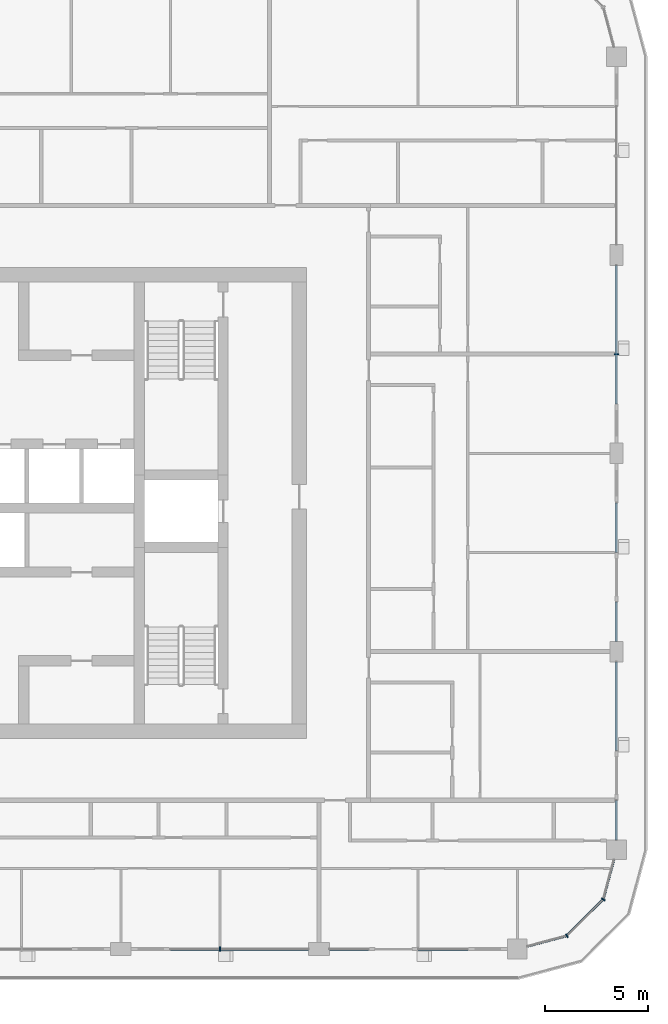
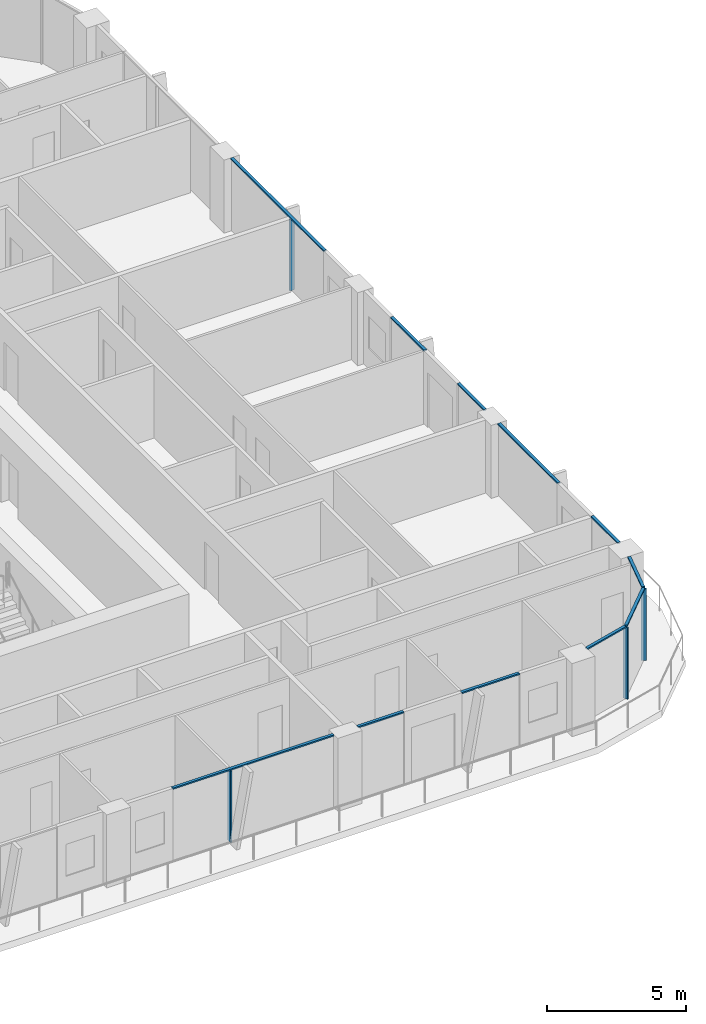
# One storey, part 4 of 23: 15 members, 6 elements without a shape of their own.
"""IFC4 building model written with IfcOpenShell, lengths in metres."""

from ifc_helpers import new_model, si_unit, direction, frame, origin, origin_2d, place, context, subcontext, project, spatial, rectangle, extrude, material, layer, layer_set, material_profile, profile_set, type_object, element, aggregate, save


model = new_model("IFC4")

# Units and contexts
model_context = context("Model", 3, precision=1e-05, world=origin(), true_north=direction((0.0, 1.0)))
body_context = subcontext(model_context, "Body", "Model", "MODEL_VIEW")
ifc_project = project(units=[si_unit("LENGTHUNIT", "METRE"), si_unit("AREAUNIT", "SQUARE_METRE"), si_unit("VOLUMEUNIT", "CUBIC_METRE"), si_unit("PLANEANGLEUNIT", "RADIAN"), si_unit("MASSUNIT", "GRAM", prefix="KILO")], contexts=[model_context])

# Site, building, storey
site_placement = place(None, origin())
site = spatial("IfcSite", under=ifc_project, at=site_placement, CompositionType="ELEMENT")
building_placement = place(site_placement, origin())
building = spatial("IfcBuilding", under=site, at=building_placement, Name="Madar Terraces", CompositionType="ELEMENT")
storey_placement = place(building_placement, frame((0.0, 0.0, 219.300048828125)))
storey = spatial("IfcBuildingStorey", under=building, at=storey_placement, Name="L57", CompositionType="ELEMENT", Elevation=219.300048828125)

# Curtain wall, member
ifc_material_1 = material(Name="Glass, ceramic frit dark grey, with black aluminium frame", Category="aluminium")
ifc_layer = layer(ifc_material_1, 0.199951171875)
ifc_layer_set = layer_set([ifc_layer], Name="Facade curtain wall, fritted glass")
curtain_wall_type = type_object("IfcCurtainWallType", Name="Facade curtain wall, fritted glass", PredefinedType="NOTDEFINED", material=ifc_layer_set)
curtain_wall_1_placement = place(storey_placement, origin())
curtain_wall_1 = element("IfcCurtainWall", 1, at=curtain_wall_1_placement, inside=storey, type_object=curtain_wall_type, Name="Outer skin curtain wall south bay 4", PredefinedType="NOTDEFINED")
ifc_material_2 = material(Name="Aluminium, black anodised", Category="aluminium")
ifc_material_profile_1 = material_profile(ifc_material_2, rectangle(XDim=0.199951171875, YDim=0.06005859375, at=origin_2d()), Name="Facade mullion 60x200")
ifc_profile_set_1 = profile_set([ifc_material_profile_1], Name="Aluminium, black anodised")
member_type_1 = type_object("IfcMemberType", Name="Facade mullion 60x200", PredefinedType="MULLION", material=ifc_profile_set_1)
member_1_placement = place(storey_placement, frame((43.199951171875, 4.800048828125, 0.0), z_axis=(0.0, 0.0, 1.0), x_axis=(0.0, 1.0, 0.0)))
member_1 = element("IfcMember", 2, at=member_1_placement, type_object=member_type_1, Name="Mullion 1", PredefinedType="MULLION", context=body_context, shape_type="SweptSolid", body=[
    extrude(rectangle(XDim=0.199951171875, YDim=0.06005859375, at=origin_2d()), origin(), (0.0, 0.0, 1.0), 3.139892578125),
])

curtain_wall_2_placement = place(storey_placement, origin())
curtain_wall_2 = element("IfcCurtainWall", 3, at=curtain_wall_2_placement, inside=storey, type_object=curtain_wall_type, Name="Outer skin curtain wall east bay 3", PredefinedType="NOTDEFINED")
member_2_placement = place(storey_placement, frame((62.39990234375, 33.60009765625, 0.0), z_axis=(0.0, 0.0, 1.0), x_axis=(-1.0, 0.0, 0.0)))
member_2 = element("IfcMember", 4, at=member_2_placement, type_object=member_type_1, Name="Mullion 1", PredefinedType="MULLION", context=body_context, shape_type="SweptSolid", body=[
    extrude(rectangle(XDim=0.199951171875, YDim=0.06005859375, at=origin_2d()), origin(), (0.0, 0.0, 1.0), 3.139892578125),
])

# Curtain wall, members
curtain_wall_3_placement = place(storey_placement, origin())
curtain_wall_3 = element("IfcCurtainWall", 5, at=curtain_wall_3_placement, inside=storey, type_object=curtain_wall_type, Name="Outer skin curtain wall south-east corner", PredefinedType="NOTDEFINED")
member_3_placement = place(storey_placement, frame((60.0, 5.443115234375, 0.0), z_axis=(0.0, 0.0, 1.0), x_axis=(-0.499999989586, 0.866025409797, 0.0)))
member_3 = element("IfcMember", 6, at=member_3_placement, type_object=member_type_1, Name="Mullion 1", PredefinedType="MULLION", context=body_context, shape_type="SweptSolid", body=[
    extrude(rectangle(XDim=0.199951171875, YDim=0.06005859375, at=origin_2d()), origin(), (0.0, 0.0, 1.0), 3.139892578125),
])
member_4_placement = place(storey_placement, frame((61.7568359375, 7.199951171875, 0.0), z_axis=(0.0, 0.0, 1.0), x_axis=(-0.866025409797, 0.499999989586, 0.0)))
member_4 = element("IfcMember", 7, at=member_4_placement, type_object=member_type_1, Name="Mullion 2", PredefinedType="MULLION", context=body_context, shape_type="SweptSolid", body=[
    extrude(rectangle(XDim=0.199951171875, YDim=0.06005859375, at=origin_2d()), origin(), (0.0, 0.0, 1.0), 3.139892578125),
])

# Member
ifc_material_3 = material(Name="Aluminium, black anodised", Category="aluminium")
ifc_material_profile_2 = material_profile(ifc_material_3, rectangle(XDim=0.1201171875, YDim=0.06005859375, at=origin_2d()), Name="Facade transom 60x120")
ifc_profile_set_2 = profile_set([ifc_material_profile_2], Name="Aluminium, black anodised")
member_type_2 = type_object("IfcMemberType", Name="Facade transom 60x120", PredefinedType="USERDEFINED", material=ifc_profile_set_2)
member_5_placement = place(storey_placement, frame((40.800048828125, 4.800048828125, 3.169921875), z_axis=(1.0, 0.0, 0.0), x_axis=(0.0, 1.0, 0.0)))
member_5 = element("IfcMember", 8, at=member_5_placement, type_object=member_type_2, Name="Transom 1", ObjectType="TRANSOM", PredefinedType="USERDEFINED", context=body_context, shape_type="SweptSolid", body=[
    extrude(rectangle(XDim=0.1201171875, YDim=0.06005859375, at=origin_2d()), origin(), (0.0, 0.0, 1.0), 6.699951171875),
])

aggregate(curtain_wall_1, [member_1, member_5])

# Curtain wall, members
curtain_wall_4_placement = place(storey_placement, origin())
curtain_wall_4 = element("IfcCurtainWall", 9, at=curtain_wall_4_placement, inside=storey, type_object=curtain_wall_type, Name="Outer skin curtain wall south bay 5", PredefinedType="NOTDEFINED")
member_6_placement = place(storey_placement, frame((48.5, 4.800048828125, 3.169921875), z_axis=(1.0, 0.0, 0.0), x_axis=(0.0, 1.0, 0.0)))
member_6 = element("IfcMember", 10, at=member_6_placement, type_object=member_type_2, Name="Transom 1", ObjectType="TRANSOM", PredefinedType="USERDEFINED", context=body_context, shape_type="SweptSolid", body=[
    extrude(rectangle(XDim=0.1201171875, YDim=0.06005859375, at=origin_2d()), origin(), (0.0, 0.0, 1.0), 1.89990234375),
])
member_7_placement = place(storey_placement, frame((52.800048828125, 4.800048828125, 3.169921875), z_axis=(1.0, 0.0, 0.0), x_axis=(0.0, 1.0, 0.0)))
member_7 = element("IfcMember", 11, at=member_7_placement, type_object=member_type_2, Name="Transom 2", ObjectType="TRANSOM", PredefinedType="USERDEFINED", context=body_context, shape_type="SweptSolid", body=[
    extrude(rectangle(XDim=0.1201171875, YDim=0.06005859375, at=origin_2d()), origin(), (0.0, 0.0, 1.0), 2.39990234375),
])
aggregate(curtain_wall_4, [member_6, member_7])

curtain_wall_5_placement = place(storey_placement, origin())
curtain_wall_5 = element("IfcCurtainWall", 12, at=curtain_wall_5_placement, inside=storey, type_object=curtain_wall_type, Name="Outer skin curtain wall east bay 1", PredefinedType="NOTDEFINED")
member_8_placement = place(storey_placement, frame((62.39990234375, 10.074951171875, 3.169921875), z_axis=(0.0, 1.0, 0.0), x_axis=(-1.0, 0.0, 0.0)))
member_8 = element("IfcMember", 13, at=member_8_placement, type_object=member_type_2, Name="Transom 1", ObjectType="TRANSOM", PredefinedType="USERDEFINED", context=body_context, shape_type="SweptSolid", body=[
    extrude(rectangle(XDim=0.1201171875, YDim=0.06005859375, at=origin_2d()), origin(), (0.0, 0.0, 1.0), 1.925048828125),
])
member_9_placement = place(storey_placement, frame((62.39990234375, 14.39990234375, 3.169921875), z_axis=(0.0, 1.0, 0.0), x_axis=(-1.0, 0.0, 0.0)))
member_9 = element("IfcMember", 14, at=member_9_placement, type_object=member_type_2, Name="Transom 2", ObjectType="TRANSOM", PredefinedType="USERDEFINED", context=body_context, shape_type="SweptSolid", body=[
    extrude(rectangle(XDim=0.1201171875, YDim=0.06005859375, at=origin_2d()), origin(), (0.0, 0.0, 1.0), 4.300048828125),
])
aggregate(curtain_wall_5, [member_8, member_9])

curtain_wall_6_placement = place(storey_placement, origin())
curtain_wall_6 = element("IfcCurtainWall", 15, at=curtain_wall_6_placement, inside=storey, type_object=curtain_wall_type, Name="Outer skin curtain wall east bay 2", PredefinedType="NOTDEFINED")
member_10_placement = place(storey_placement, frame((62.39990234375, 19.699951171875, 3.169921875), z_axis=(0.0, 1.0, 0.0), x_axis=(-1.0, 0.0, 0.0)))
member_10 = element("IfcMember", 16, at=member_10_placement, type_object=member_type_2, Name="Transom 1", ObjectType="TRANSOM", PredefinedType="USERDEFINED", context=body_context, shape_type="SweptSolid", body=[
    extrude(rectangle(XDim=0.1201171875, YDim=0.06005859375, at=origin_2d()), origin(), (0.0, 0.0, 1.0), 1.900146484375),
])
member_11_placement = place(storey_placement, frame((62.39990234375, 24.0, 3.169921875), z_axis=(0.0, 1.0, 0.0), x_axis=(-1.0, 0.0, 0.0)))
member_11 = element("IfcMember", 17, at=member_11_placement, type_object=member_type_2, Name="Transom 2", ObjectType="TRANSOM", PredefinedType="USERDEFINED", context=body_context, shape_type="SweptSolid", body=[
    extrude(rectangle(XDim=0.1201171875, YDim=0.06005859375, at=origin_2d()), origin(), (0.0, 0.0, 1.0), 2.39990234375),
])
aggregate(curtain_wall_6, [member_10, member_11])

# Member
member_12_placement = place(storey_placement, frame((62.39990234375, 31.199951171875, 3.169921875), z_axis=(0.0, 1.0, 0.0), x_axis=(-1.0, 0.0, 0.0)))
member_12 = element("IfcMember", 18, at=member_12_placement, type_object=member_type_2, Name="Transom 1", ObjectType="TRANSOM", PredefinedType="USERDEFINED", context=body_context, shape_type="SweptSolid", body=[
    extrude(rectangle(XDim=0.1201171875, YDim=0.06005859375, at=origin_2d()), origin(), (0.0, 0.0, 1.0), 6.699951171875),
])

aggregate(curtain_wall_2, [member_2, member_12])

member_13_placement = place(storey_placement, frame((58.074951171875, 4.92724609375, 3.169921875), z_axis=(0.96592251241, 0.258831412352, 0.0), x_axis=(-0.258831412352, 0.96592251241, 0.0)))
member_13 = element("IfcMember", 19, at=member_13_placement, type_object=member_type_2, Name="Transom 1", ObjectType="TRANSOM", PredefinedType="USERDEFINED", context=body_context, shape_type="SweptSolid", body=[
    extrude(rectangle(XDim=0.1201171875, YDim=0.06005859375, at=origin_2d()), origin(), (0.0, 0.0, 1.0), 1.962890625),
])

member_14_placement = place(storey_placement, frame((60.021240234375, 5.46435546875, 3.169921875), z_axis=(0.707106781187, 0.707106781187, 0.0), x_axis=(-0.707106781187, 0.707106781187, 0.0)))
member_14 = element("IfcMember", 20, at=member_14_placement, type_object=member_type_2, Name="Transom 2", ObjectType="TRANSOM", PredefinedType="USERDEFINED", context=body_context, shape_type="SweptSolid", body=[
    extrude(rectangle(XDim=0.1201171875, YDim=0.06005859375, at=origin_2d()), origin(), (0.0, 0.0, 1.0), 2.424560546875),
])

member_15_placement = place(storey_placement, frame((61.7646484375, 7.22900390625, 3.169921875), z_axis=(0.258831412352, 0.96592251241, 0.0), x_axis=(-0.96592251241, 0.258831412352, 0.0)))
member_15 = element("IfcMember", 21, at=member_15_placement, type_object=member_type_2, Name="Transom 3", ObjectType="TRANSOM", PredefinedType="USERDEFINED", context=body_context, shape_type="SweptSolid", body=[
    extrude(rectangle(XDim=0.1201171875, YDim=0.06005859375, at=origin_2d()), origin(), (0.0, 0.0, 1.0), 1.962890625),
])

aggregate(curtain_wall_3, [member_3, member_13, member_4, member_14, member_15])

save(model, "model.ifc")
